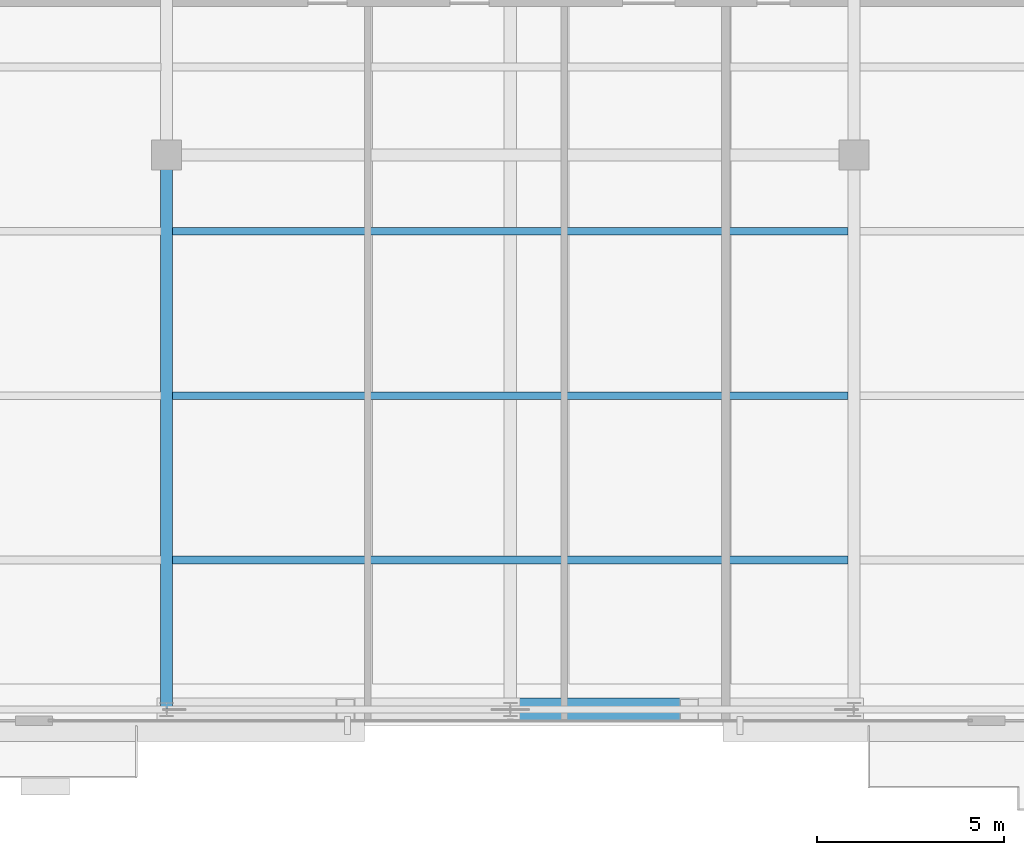
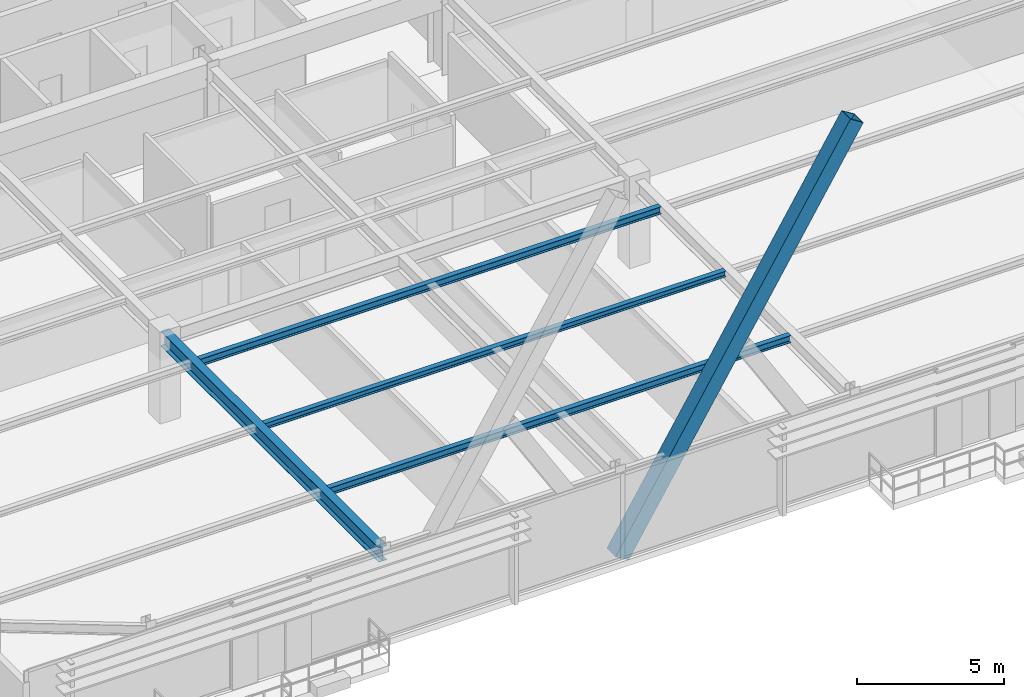
# One storey, part 9 of 34: 4 beams, 1 member.
"""IFC4 building model written with IfcOpenShell, lengths in metres."""

from ifc_helpers import new_model, si_unit, direction, frame, origin, origin_2d, place, context, subcontext, project, spatial, hollow_rectangle, i_section, extrude, source, transform, mapped, material, material_profile, profile_set, type_object, type_shapes, element, save


model = new_model("IFC4")

# Units and contexts
model_context = context("Model", 3, precision=1e-05, world=origin(), true_north=direction((0.0, 1.0)))
body_context = subcontext(model_context, "Body", "Model", "MODEL_VIEW")
ifc_project = project(units=[si_unit("LENGTHUNIT", "METRE"), si_unit("AREAUNIT", "SQUARE_METRE"), si_unit("VOLUMEUNIT", "CUBIC_METRE"), si_unit("PLANEANGLEUNIT", "RADIAN"), si_unit("MASSUNIT", "GRAM", prefix="KILO")], contexts=[model_context])

# Site, building, storey
site_placement = place(None, origin())
site = spatial("IfcSite", under=ifc_project, at=site_placement, CompositionType="ELEMENT")
building_placement = place(site_placement, origin())
building = spatial("IfcBuilding", under=site, at=building_placement, Name="Varnel Quay Broadcast Tower", CompositionType="ELEMENT")
storey_placement = place(building_placement, frame((0.0, 0.0, 161.0)))
storey = spatial("IfcBuildingStorey", under=building, at=storey_placement, Name="L39", CompositionType="ELEMENT", Elevation=161.0)

# Beams
ifc_material_1 = material(Name="Structural Steel CSA G40.21 350W", Category="steel")
ifc_material_profile_1 = material_profile(ifc_material_1, i_section(OverallWidth=0.324951171875, OverallDepth=0.615966796875, WebThickness=0.013916015625, FlangeThickness=0.021484375, FilletRadius=0.01611328125, at=origin_2d()), Name="W610X174")
ifc_profile_set_1 = profile_set([ifc_material_profile_1], Name="Structural Steel CSA G40.21 350W")
beam_type_1 = type_object("IfcBeamType", Name="Girder_W610X174", PredefinedType="BEAM", material=ifc_profile_set_1)
shared_shape_1 = source(origin(), body_context, "Body", "SweptSolid", [
    extrude(i_section(OverallWidth=0.324951171875, OverallDepth=0.615966796875, WebThickness=0.013916015625, FlangeThickness=0.021484375, FilletRadius=0.01611328125, at=origin_2d()), origin(), (0.0, 0.0, 1.0), 14.800048828125),
])
type_shapes(beam_type_1, [shared_shape_1])
beam_1_placement = place(storey_placement, frame((24.800048828125, 7.669921875, 3.241943359375), z_axis=(0.0, 1.0, 0.0), x_axis=(-1.0, 0.0, 0.0)))
element("IfcBeam", 1, at=beam_1_placement, inside=storey, type_object=beam_type_1, Name="L39 Primary Girder TC-S2-IC-01", PredefinedType="BEAM", context=body_context, shape_type="MappedRepresentation", body=[
    mapped(shared_shape_1, transform((0.0, 0.0, 0.0), x_axis=(1.0, 0.0, 0.0), y_axis=(0.0, 1.0, 0.0), z_axis=(0.0, 0.0, 1.0), scale=1.0)),
])
ifc_material_profile_2 = material_profile(ifc_material_1, i_section(OverallWidth=0.202880859375, OverallDepth=0.302978515625, WebThickness=0.007568359375, FlangeThickness=0.01318359375, FilletRadius=0.011962890625, at=origin_2d()), Name="W310X60")
ifc_profile_set_2 = profile_set([ifc_material_profile_2], Name="Structural Steel CSA G40.21 350W")
beam_type_2 = type_object("IfcBeamType", Name="Beam_W310X60", PredefinedType="JOIST", material=ifc_profile_set_2)
shared_shape_2 = source(origin(), body_context, "Body", "SweptSolid", [
    extrude(i_section(OverallWidth=0.202880859375, OverallDepth=0.302978515625, WebThickness=0.007568359375, FlangeThickness=0.01318359375, FilletRadius=0.011962890625, at=origin_2d()), origin(), (0.0, 0.0, 1.0), 18.0849609375),
])
type_shapes(beam_type_2, [shared_shape_2])
for number, where, z_axis, x_axis, name in (
    (2, (24.95751953125, 11.64990234375, 3.3984375), (1.0, 0.0, 0.0), (0.0, 1.0, 0.0), "L39 Central Floor Joist 1"),
    (3, (24.95751953125, 20.449951171875, 3.3984375), (1.0, 0.0, 0.0), (0.0, 1.0, 0.0), "L39 Central Floor Joist 3"),
):
    element("IfcBeam", number, at=place(storey_placement, frame(where, z_axis=z_axis, x_axis=x_axis)), inside=storey, type_object=beam_type_2, Name=name, PredefinedType="JOIST", context=body_context, shape_type="MappedRepresentation", body=[
        mapped(shared_shape_2, transform((0.0, 0.0, 0.0), x_axis=(1.0, 0.0, 0.0), y_axis=(0.0, 1.0, 0.0), z_axis=(0.0, 0.0, 1.0), scale=1.0)),
    ])
ifc_material_profile_3 = material_profile(ifc_material_1, i_section(OverallWidth=0.201904296875, OverallDepth=0.2470703125, WebThickness=0.00732421875, FlangeThickness=0.010986328125, FilletRadius=0.010986328125, at=origin_2d()), Name="W250X49")
ifc_profile_set_3 = profile_set([ifc_material_profile_3], Name="Structural Steel CSA G40.21 350W")
beam_type_3 = type_object("IfcBeamType", Name="Beam_W250X49", PredefinedType="JOIST", material=ifc_profile_set_3)
shared_shape_3 = source(origin(), body_context, "Body", "SweptSolid", [
    extrude(i_section(OverallWidth=0.201904296875, OverallDepth=0.2470703125, WebThickness=0.00732421875, FlangeThickness=0.010986328125, FilletRadius=0.010986328125, at=origin_2d()), origin(), (0.0, 0.0, 1.0), 18.0849609375),
])
type_shapes(beam_type_3, [shared_shape_3])
beam_2_placement = place(storey_placement, frame((24.95751953125, 16.050048828125, 3.426513671875), z_axis=(1.0, 0.0, 0.0), x_axis=(0.0, 1.0, 0.0)))
element("IfcBeam", 4, at=beam_2_placement, inside=storey, type_object=beam_type_3, Name="L39 Central Floor Joist 2", PredefinedType="JOIST", context=body_context, shape_type="MappedRepresentation", body=[
    mapped(shared_shape_3, transform((0.0, 0.0, 0.0), x_axis=(1.0, 0.0, 0.0), y_axis=(0.0, 1.0, 0.0), z_axis=(0.0, 0.0, 1.0), scale=1.0)),
])

# Member
ifc_material_2 = material(Name="Structural Steel CSA G40.21 350WT", Category="steel")
ifc_material_profile_4 = material_profile(ifc_material_2, hollow_rectangle(XDim=0.60009765625, YDim=0.60009765625, WallThickness=0.028076171875, at=origin_2d()), Name="BOX600X600X28")
ifc_profile_set_4 = profile_set([ifc_material_profile_4], Name="Structural Steel CSA G40.21 350WT")
member_type = type_object("IfcMemberType", Name="Brace_BOX600X600X28", PredefinedType="BRACE", material=ifc_profile_set_4)
shared_shape_4 = source(origin(), body_context, "Body", "SweptSolid", [
    extrude(hollow_rectangle(XDim=0.60009765625, YDim=0.60009765625, WallThickness=0.028076171875, at=origin_2d()), origin(), (0.0, 0.0, 1.0), 17.519775390625),
])
type_shapes(member_type, [shared_shape_4])
member_placement = place(storey_placement, frame((34.0, 7.64990234375, 0.02001953125), z_axis=(0.525116345996, 0.0, 0.85103044785), x_axis=(0.0, 1.0, 0.0)))
element("IfcMember", 5, at=member_placement, inside=storey, type_object=member_type, Name="Zone 3 Mega-Brace S-C2T2 Continuous Diag A", PredefinedType="BRACE", context=body_context, shape_type="MappedRepresentation", body=[
    mapped(shared_shape_4, transform((0.0, 0.0, 0.0), x_axis=(1.0, 0.0, 0.0), y_axis=(0.0, 1.0, 0.0), z_axis=(0.0, 0.0, 1.0), scale=1.0)),
])

save(model, "model.ifc")
